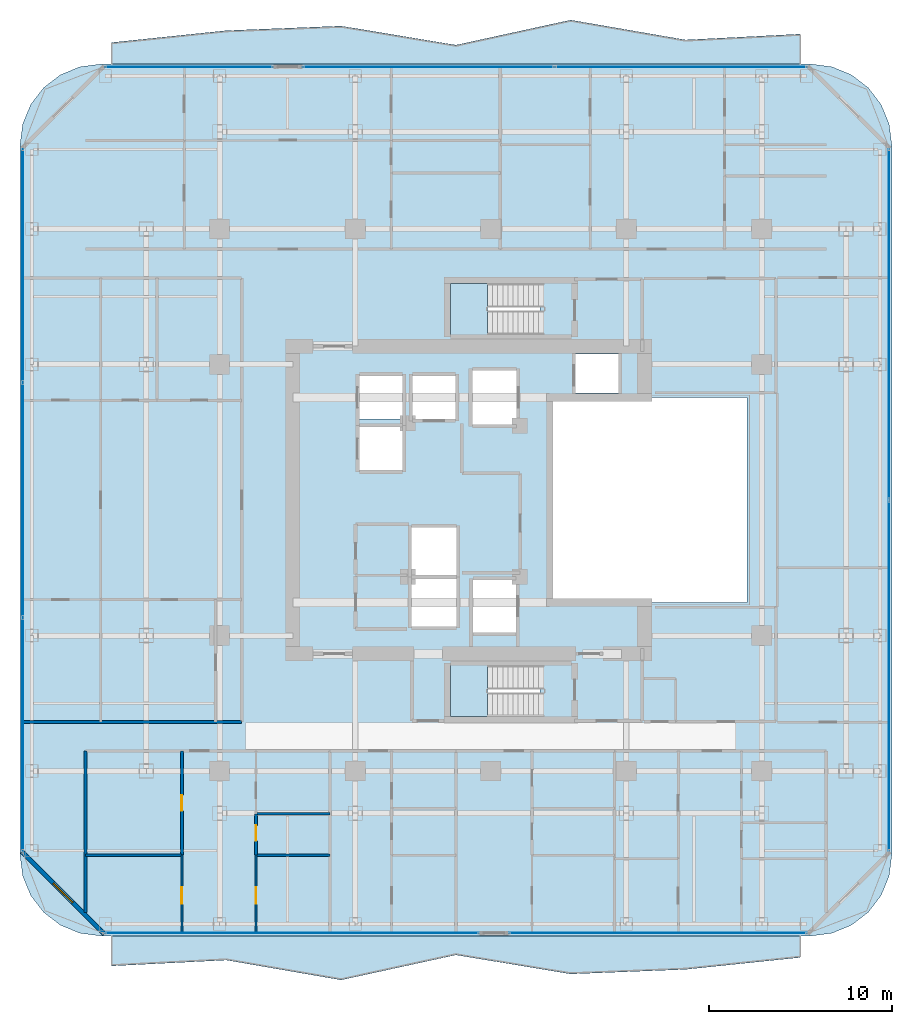
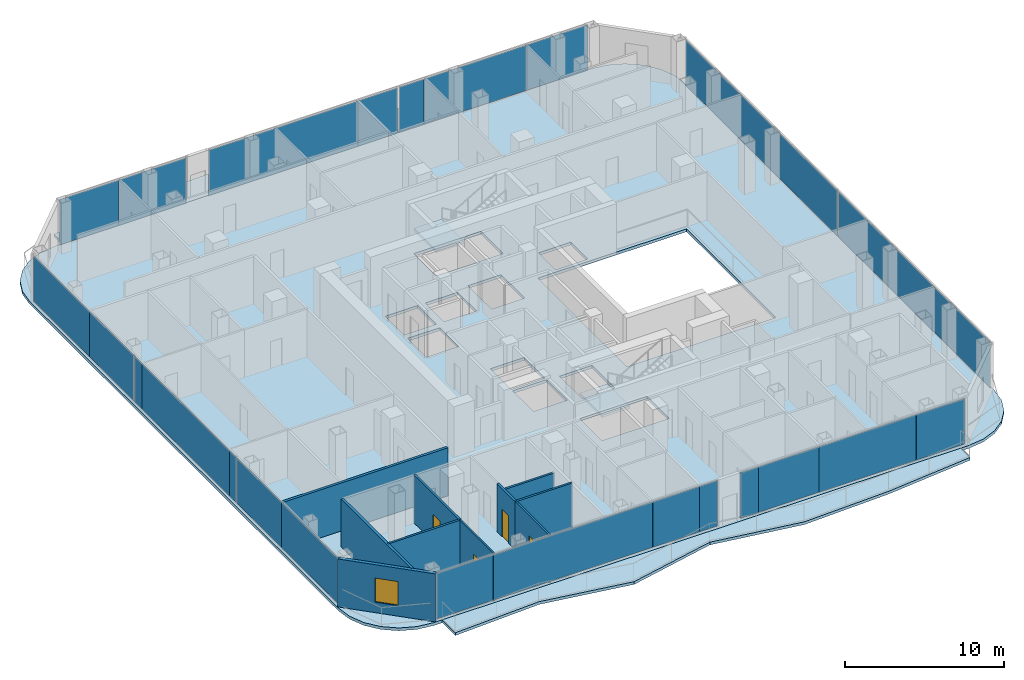
# One storey, part 17 of 25: 24 plates, 10 walls, 5 slabs, 4 doors, 1 window, 5 openings, 8 elements without a shape of their own.
"""IFC4 building model written with IfcOpenShell, lengths in metres."""

import ifcopenshell
import ifcopenshell.guid

model = None  # the IFC model being written
_history = None  # IfcOwnerHistory: only IFC2X3 demands one
_inside = {}  # id of a spatial element -> (the spatial element, [elements in it])
_under = {}  # id of a project, library or spatial element -> (it, [spatial elements below it])
_declared = {}  # id of a project -> (the project, [libraries it declares])
_typed = {}  # id of a type object -> (the type object, [elements of that type])
_made_of = {}  # id of a material, layer set ... -> (it, [elements and type objects made of it])


def new_model(schema):
    """Start an empty IFC model of exactly this schema.

    Asked for "IFC4X3", IfcOpenShell would pick the latest addendum, in which some entities
    have other attributes; the version numbers below select the first issue.
    IFC2X3 requires an IfcOwnerHistory on every rooted entity: one is made here for all.
    """
    global model, _history
    if schema == "IFC4X3":
        model = ifcopenshell.file(schema_version=(4, 3, 0, 0))
    else:
        model = ifcopenshell.file(schema=schema)
    _inside.clear()
    _under.clear()
    _declared.clear()
    _typed.clear()
    _made_of.clear()
    _history = None
    if model.schema == "IFC2X3":
        org = make("IfcOrganization", Name="unknown")
        user = make(
            "IfcPersonAndOrganization",
            ThePerson=make("IfcPerson", FamilyName="unknown"),
            TheOrganization=org,
        )
        app = make(
            "IfcApplication",
            ApplicationDeveloper=org,
            Version="unknown",
            ApplicationFullName="unknown",
            ApplicationIdentifier="unknown",
        )
        _history = make(
            "IfcOwnerHistory",
            OwningUser=user,
            OwningApplication=app,
            ChangeAction="ADDED",
            CreationDate=0,
        )
    return model


def make(cls, **values):
    """One entity of the class cls with the attributes given. An attribute that is None is left unset."""
    return model.create_entity(
        cls, **{name: value for name, value in values.items() if value is not None}
    )


def rooted(cls, **values):
    """An entity with a GlobalId (a new one), such as an element, a storey or a relation."""
    return make(cls, GlobalId=ifcopenshell.guid.new(), OwnerHistory=_history, **values)


def si_unit(unit_type, name, prefix=None):
    """IfcSIUnit, for example si_unit("LENGTHUNIT", "METRE", prefix="MILLI")."""
    return make("IfcSIUnit", UnitType=unit_type, Prefix=prefix, Name=name)


def assignment(units):
    """IfcUnitAssignment: the units of a project."""
    return None if units is None else make("IfcUnitAssignment", Units=units)


def point(xyz):
    """IfcCartesianPoint."""
    return None if xyz is None else make("IfcCartesianPoint", Coordinates=xyz)


def direction(xyz):
    """IfcDirection."""
    return None if xyz is None else make("IfcDirection", DirectionRatios=xyz)


def frame(location, z_axis=None, x_axis=None):
    """IfcAxis2Placement3D, a coordinate frame: its origin and axes. An axis left out is left unset."""
    return make(
        "IfcAxis2Placement3D",
        Location=point(location),
        Axis=direction(z_axis),
        RefDirection=direction(x_axis),
    )


def frame_2d(location, x_axis=None):
    """IfcAxis2Placement2D, a coordinate frame in the plane: its origin and x axis."""
    return make(
        "IfcAxis2Placement2D", Location=point(location), RefDirection=direction(x_axis)
    )


def origin():
    """The frame at (0, 0, 0) with its axes left unset."""
    return frame((0.0, 0.0, 0.0))


def origin_2d():
    """The frame at (0, 0) in the plane with its x axis left unset."""
    return frame_2d((0.0, 0.0))


def place(relative_to, where):
    """IfcLocalPlacement: puts the frame where relative to a parent placement (None: the world)."""
    return make(
        "IfcLocalPlacement", PlacementRelTo=relative_to, RelativePlacement=where
    )


def context(
    kind, dimensions, precision=None, world=None, true_north=None, identifier=None
):
    """IfcGeometricRepresentationContext, for example the 3D "Model" context."""
    return make(
        "IfcGeometricRepresentationContext",
        ContextIdentifier=identifier,
        ContextType=kind,
        CoordinateSpaceDimension=dimensions,
        Precision=precision,
        WorldCoordinateSystem=world,
        TrueNorth=true_north,
    )


def subcontext(parent, identifier, kind, view, scale=None):
    """IfcGeometricRepresentationSubContext, for example "Body" below "Model"."""
    return make(
        "IfcGeometricRepresentationSubContext",
        ContextIdentifier=identifier,
        ContextType=kind,
        ParentContext=parent,
        TargetScale=scale,
        TargetView=view,
    )


def project(units=None, contexts=None):
    """IfcProject with its units and contexts."""
    return rooted(
        "IfcProject",
        Name="project",
        RepresentationContexts=contexts,
        UnitsInContext=assignment(units),
    )


def spatial(cls, under=None, at=None, **own):
    """A site, building, storey or space (cls), placed at a placement, below another one or the project."""
    s = rooted(cls, ObjectPlacement=at, **own)
    if under is not None:
        _under.setdefault(under.id(), (under, []))[1].append(s)
    return s


def polyline(points):
    """IfcPolyline through the points."""
    return make("IfcPolyline", Points=[point(p) for p in points])


def profile(cls, at=None, kind="AREA", **sizes):
    """A parametric profile (cls). Its sizes go by their IFC names, for example OverallWidth=200.0."""
    return make(cls, ProfileType=kind, Position=at, **sizes)


def rectangle(**sizes):
    """IfcRectangleProfileDef."""
    return profile("IfcRectangleProfileDef", **sizes)


def outline(outer, holes=None, kind="AREA"):
    """IfcArbitraryClosedProfileDef: a profile drawn as a closed curve; with holes, ...WithVoids."""
    if holes is None:
        return make("IfcArbitraryClosedProfileDef", ProfileType=kind, OuterCurve=outer)
    return make(
        "IfcArbitraryProfileDefWithVoids",
        ProfileType=kind,
        OuterCurve=outer,
        InnerCurves=holes,
    )


def extrude(swept, where, along, depth):
    """IfcExtrudedAreaSolid: the profile swept, set in the frame where, extruded along a direction by depth."""
    return make(
        "IfcExtrudedAreaSolid",
        SweptArea=swept,
        Position=where,
        ExtrudedDirection=direction(along),
        Depth=depth,
    )


def shape(context_of_items, identifier, shape_type, items):
    """IfcShapeRepresentation: the items that make up one representation, for example the "Body"."""
    return make(
        "IfcShapeRepresentation",
        ContextOfItems=context_of_items,
        RepresentationIdentifier=identifier,
        RepresentationType=shape_type,
        Items=items,
    )


def material(Name=None, Category=None):
    """IfcMaterial."""
    return make("IfcMaterial", Name=Name, Category=Category)


def layer(
    of_material, thickness, ventilated=None, Name=None, Category=None, Priority=None
):
    """IfcMaterialLayer: one layer of a wall or slab, of a material (None: an air gap)."""
    return make(
        "IfcMaterialLayer",
        Material=of_material,
        LayerThickness=thickness,
        IsVentilated=ventilated,
        Name=Name,
        Category=Category,
        Priority=Priority,
    )


def layer_set(layers, Name=None):
    """IfcMaterialLayerSet."""
    return make("IfcMaterialLayerSet", MaterialLayers=layers, LayerSetName=Name)


def made_of(thing, what):
    """Note that an element or type object is made of a material, layer set ...; save() writes the relation."""
    if what is not None:
        _made_of.setdefault(what.id(), (what, []))[1].append(thing)
    return thing


def type_object(cls, material=None, **own):
    """A type object (cls), such as IfcWallType, which elements share."""
    return made_of(rooted(cls, **own), material)


def element(
    cls,
    number,
    at=None,
    inside=None,
    cuts=None,
    type_object=None,
    material=None,
    context=None,
    identifier="Body",
    shape_type=None,
    held_by="IfcProductDefinitionShape",
    body=None,
    shapes=None,
    **own,
):
    """One element of the class cls, such as IfcWall. Its Tag is "e" and its number.

    at: its placement. inside: the storey or other place that contains it. cuts: it is an
    opening in that element (IfcRelVoidsElement). A single representation is given by context,
    identifier, shape_type and body (its items); several are given by shapes. held_by: the class
    of the entity that holds the representations. save() writes the other relations.
    """
    e = rooted(cls, Tag="e%d" % number, ObjectPlacement=at, **own)
    if body is not None:
        shapes = [shape(context, identifier, shape_type, body)]
    if shapes is not None:
        e.Representation = make(held_by, Representations=shapes)
    if inside is not None:
        _inside.setdefault(inside.id(), (inside, []))[1].append(e)
    if cuts is not None:
        rooted(
            "IfcRelVoidsElement", RelatingBuildingElement=cuts, RelatedOpeningElement=e
        )
    if type_object is not None:
        _typed.setdefault(type_object.id(), (type_object, []))[1].append(e)
    return made_of(e, material)


def fill(opening, filler):
    """IfcRelFillsElement: the door or window that sits in an opening."""
    return rooted(
        "IfcRelFillsElement",
        RelatingOpeningElement=opening,
        RelatedBuildingElement=filler,
    )


def aggregate(whole, parts):
    """IfcRelAggregates: a whole, such as a stair, and the parts it consists of."""
    return rooted("IfcRelAggregates", RelatingObject=whole, RelatedObjects=parts)


def save(model, path):
    """Write the relations noted so far, then the file.

    IfcRelAggregates (storeys below a building ...), IfcRelContainedInSpatialStructure (elements
    in a storey), IfcRelDefinesByType, IfcRelAssociatesMaterial and IfcRelDeclares: one each for
    every whole, place, type object, material and project.
    """
    for whole, parts in _under.values():
        aggregate(whole, parts)
    for where, things in _inside.values():
        rooted(
            "IfcRelContainedInSpatialStructure",
            RelatedElements=things,
            RelatingStructure=where,
        )
    for kind, things in _typed.values():
        rooted("IfcRelDefinesByType", RelatedObjects=things, RelatingType=kind)
    for what, things in _made_of.values():
        rooted("IfcRelAssociatesMaterial", RelatedObjects=things, RelatingMaterial=what)
    for by, libraries in _declared.values():
        rooted("IfcRelDeclares", RelatingContext=by, RelatedDefinitions=libraries)
    model.write(path)


model = new_model("IFC4")

# Units and contexts
model_context = context("Model", 3, precision=1e-05, world=origin(), true_north=direction((0.0, 1.0)))
body_context = subcontext(model_context, "Body", "Model", "MODEL_VIEW")
ifc_project = project(units=[si_unit("LENGTHUNIT", "METRE"), si_unit("AREAUNIT", "SQUARE_METRE"), si_unit("VOLUMEUNIT", "CUBIC_METRE"), si_unit("PLANEANGLEUNIT", "RADIAN"), si_unit("MASSUNIT", "GRAM", prefix="KILO")], contexts=[model_context])

# Site, building, storey
site_placement = place(None, origin())
site = spatial("IfcSite", under=ifc_project, at=site_placement, CompositionType="ELEMENT")
building_placement = place(site_placement, origin())
building = spatial("IfcBuilding", under=site, at=building_placement, Name="Khorvyn Point Tower", CompositionType="ELEMENT")
storey_placement = place(building_placement, frame((0.0, 0.0, 171.89990234375)))
storey = spatial("IfcBuildingStorey", under=building, at=storey_placement, Name="L42", CompositionType="ELEMENT", Elevation=171.89990234375)

# Slabs
ifc_material_1 = material(Name="Concrete C35/45", Category="concrete")
ifc_layer_1 = layer(ifc_material_1, 0.219970703125)
ifc_layer_set_1 = layer_set([ifc_layer_1], Name="Concrete C35/45 Structural Floor Slab 220")
slab_type_1 = type_object("IfcSlabType", Name="Concrete C35/45 Structural Floor Slab 220", PredefinedType="FLOOR", material=ifc_layer_set_1)
slab_1_placement = place(storey_placement, frame((0.0, 0.0, -0.219970703125)))
element("IfcSlab", 1, at=slab_1_placement, inside=storey, type_object=slab_type_1, Name="L42 Main Structural Floor Slab", PredefinedType="FLOOR", context=body_context, shape_type="SweptSolid", body=[
    extrude(outline(polyline([(-21.300048828125, -23.800048828125), (-22.438720703125, -23.650146484375), (-23.5, -23.21044921875), (-24.411376953125, -22.51123046875), (-25.110595703125, -21.60009765625), (-25.550048828125, -20.538818359375), (-25.699951171875, -19.39990234375), (-25.699951171875, 19.39990234375), (-25.550048828125, 20.538818359375), (-25.110595703125, 21.60009765625), (-24.411376953125, 22.51123046875), (-23.5, 23.21044921875), (-22.438720703125, 23.650146484375), (-21.300048828125, 23.800048828125), (17.5, 23.800048828125), (18.638916015625, 23.650146484375), (19.699951171875, 23.21044921875), (20.611328125, 22.51123046875), (21.310546875, 21.60009765625), (21.75, 20.538818359375), (21.89990234375, 19.39990234375), (21.89990234375, -19.39990234375), (21.75, -20.538818359375), (21.310546875, -21.60009765625), (20.611328125, -22.51123046875), (19.699951171875, -23.21044921875), (18.638916015625, -23.650146484375), (17.5, -23.800048828125), (-21.300048828125, -23.800048828125)]), holes=[polyline([(-1.875, -6.89990234375), (-1.875, -4.300048828125), (-4.324951171875, -4.300048828125), (-4.324951171875, -6.89990234375), (-1.875, -6.89990234375)]), polyline([(-1.875, -4.10009765625), (-1.875, -1.5), (-4.324951171875, -1.5), (-4.324951171875, -4.10009765625), (-1.875, -4.10009765625)]), polyline([(-4.824951171875, 1.625), (-4.824951171875, 3.97509765625), (-7.175048828125, 3.97509765625), (-7.175048828125, 1.625), (-4.824951171875, 1.625)]), polyline([(-7.175048828125, 4.425048828125), (-4.824951171875, 4.425048828125), (-4.824951171875, 6.77490234375), (-7.175048828125, 6.77490234375), (-7.175048828125, 4.425048828125)]), polyline([(-4.27490234375, 4.425048828125), (-1.925048828125, 4.425048828125), (-1.925048828125, 6.77490234375), (-4.27490234375, 6.77490234375), (-4.27490234375, 4.425048828125)]), polyline([(1.39990234375, 4.125), (1.39990234375, 7.074951171875), (-1.0, 7.074951171875), (-1.0, 4.125), (1.39990234375, 4.125)]), polyline([(-2.199951171875, -11.820068359375), (2.679931640625, -11.820068359375), (2.679931640625, -9.02001953125), (-2.199951171875, -9.02001953125), (-2.199951171875, -11.820068359375)]), polyline([(-0.97509765625, -7.22509765625), (1.375, -7.22509765625), (1.375, -4.375), (-0.97509765625, -4.375), (-0.97509765625, -7.22509765625)]), polyline([(14.0, -5.60009765625), (14.0, 5.60009765625), (3.199951171875, 5.60009765625), (3.199951171875, -5.60009765625), (14.0, -5.60009765625)]), polyline([(4.625, 5.85009765625), (6.97509765625, 5.85009765625), (6.97509765625, 7.97998046875), (4.625, 7.97998046875), (4.625, 5.85009765625)]), polyline([(-2.199951171875, 9.02001953125), (2.679931640625, 9.02001953125), (2.679931640625, 11.820068359375), (-2.199951171875, 11.820068359375), (-2.199951171875, 9.02001953125)])]), origin(), (0.0, 0.0, 1.0), 0.219970703125),
])
ifc_material_2 = material(Name="Concrete C40/50", Category="concrete")
ifc_layer_2 = layer(ifc_material_2, 0.2099609375)
ifc_layer_set_2 = layer_set([ifc_layer_2], Name="Concrete C40/50 Rippling Balcony Slab 210")
slab_type_2 = type_object("IfcSlabType", Name="Concrete C40/50 Rippling Balcony Slab 210", PredefinedType="USERDEFINED", material=ifc_layer_set_2)
slab_2_placement = place(storey_placement, frame((0.0, 0.0, -0.2099609375)))
element("IfcSlab", 2, at=slab_2_placement, inside=storey, type_object=slab_type_2, Name="L42 North Sinusoidal Rippling Balcony", ObjectType="BALCONY", PredefinedType="USERDEFINED", context=body_context, shape_type="SweptSolid", body=[
    extrude(outline(polyline([(16.89990234375, 23.800048828125), (16.89990234375, 25.441650390625), (10.63330078125, 25.12255859375), (4.36669921875, 26.20703125), (-1.89990234375, 24.8408203125), (-8.166748046875, 25.8798828125), (-14.433349609375, 25.630859375), (-20.699951171875, 24.978759765625), (-20.699951171875, 23.800048828125), (16.89990234375, 23.800048828125)])), origin(), (0.0, 0.0, 1.0), 0.2099609375),
])
slab_3_placement = place(storey_placement, frame((0.0, 0.0, -0.2099609375)))
element("IfcSlab", 3, at=slab_3_placement, inside=storey, type_object=slab_type_2, Name="L42 South Sinusoidal Rippling Balcony", ObjectType="BALCONY", PredefinedType="USERDEFINED", context=body_context, shape_type="SweptSolid", body=[
    extrude(outline(polyline([(-20.699951171875, -23.800048828125), (-20.699951171875, -25.441650390625), (-14.433349609375, -25.12255859375), (-8.166748046875, -26.20703125), (-1.89990234375, -24.8408203125), (4.36669921875, -25.8798828125), (10.63330078125, -25.630859375), (16.89990234375, -24.978759765625), (16.89990234375, -23.800048828125), (-20.699951171875, -23.800048828125)])), origin(), (0.0, 0.0, 1.0), 0.2099609375),
])

# Stair, slab
stair_type = type_object("IfcStairType", Name="Tower Concrete C40/50 Dogleg Exit Stair", PredefinedType="HALF_TURN_STAIR", material=ifc_material_2)
stair_1_placement = place(storey_placement, origin())
stair_1 = element("IfcStair", 4, at=stair_1_placement, inside=storey, type_object=stair_type, Name="L42 Tower Smokeproof Exit Stair South", PredefinedType="HALF_TURN_STAIR")
ifc_layer_3 = layer(ifc_material_2, 0.199951171875)
ifc_layer_set_3 = layer_set([ifc_layer_3], Name="Concrete C40/50 Stair Landing Slab 200")
slab_type_3 = type_object("IfcSlabType", Name="Concrete C40/50 Stair Landing Slab 200", PredefinedType="LANDING", material=ifc_layer_set_3)
slab_4_placement = place(storey_placement, frame((0.0, 0.0, 1.75)))
slab_4 = element("IfcSlab", 5, at=slab_4_placement, type_object=slab_type_3, Name="ST-01 landing 1", PredefinedType="LANDING", context=body_context, shape_type="SweptSolid", body=[
    extrude(outline(polyline([(-0.179931640625, -9.02001953125), (-2.199951171875, -9.02001953125), (-2.199951171875, -11.820068359375), (-0.179931640625, -11.820068359375), (-0.179931640625, -9.02001953125)])), origin(), (0.0, 0.0, 1.0), 0.2001953125),
])
aggregate(stair_1, [slab_4])

stair_2_placement = place(storey_placement, origin())
stair_2 = element("IfcStair", 6, at=stair_2_placement, inside=storey, type_object=stair_type, Name="L42 Tower Smokeproof Exit Stair North", PredefinedType="HALF_TURN_STAIR")
slab_5_placement = place(storey_placement, frame((0.0, 0.0, 1.75)))
slab_5 = element("IfcSlab", 7, at=slab_5_placement, type_object=slab_type_3, Name="ST-02 landing 1", PredefinedType="LANDING", context=body_context, shape_type="SweptSolid", body=[
    extrude(outline(polyline([(-0.179931640625, 11.820068359375), (-2.199951171875, 11.820068359375), (-2.199951171875, 9.02001953125), (-0.179931640625, 9.02001953125), (-0.179931640625, 11.820068359375)])), origin(), (0.0, 0.0, 1.0), 0.2001953125),
])
aggregate(stair_2, [slab_5])

# Curtain wall, plates
ifc_material_3 = material(Name="Anodised aluminium 6063-T6 and laminated Low-E glass", Category="aluminium")
ifc_layer_4 = layer(ifc_material_3, 0.18994140625)
ifc_layer_set_4 = layer_set([ifc_layer_4], Name="Stick-Built Acoustic Curtain Wall CW-SYS-03")
curtain_wall_type = type_object("IfcCurtainWallType", Name="Stick-Built Acoustic Curtain Wall CW-SYS-03", PredefinedType="NOTDEFINED", material=ifc_layer_set_4)
curtain_wall_1_placement = place(storey_placement, origin())
curtain_wall_1 = element("IfcCurtainWall", 8, at=curtain_wall_1_placement, inside=storey, type_object=curtain_wall_type, Name="Curtain Wall", PredefinedType="NOTDEFINED")
ifc_material_4 = material(Name="Laminated Low-E insulated glass", Category="glass")
ifc_layer_5 = layer(ifc_material_4, 0.028076171875)
ifc_layer_set_5 = layer_set([ifc_layer_5], Name="Tempered Low-E Vision Glazing Panel CW-GL28")
plate_type = type_object("IfcPlateType", Name="Tempered Low-E Vision Glazing Panel CW-GL28", PredefinedType="CURTAIN_PANEL", material=ifc_layer_set_5)
plate_1_placement = place(storey_placement, frame((1.655517578125, -23.64990234375, 0.10009765625), z_axis=(0.0, 0.0, 1.0), x_axis=(-1.0, 0.0, 0.0)))
plate_1 = element("IfcPlate", 9, at=plate_1_placement, type_object=plate_type, Name="Panel", PredefinedType="CURTAIN_PANEL", context=body_context, shape_type="SweptSolid", body=[
    extrude(rectangle(XDim=1.30908203125, YDim=0.028076171875, at=origin_2d()), origin(), (0.0, 0.0, 1.0), 3.47998046875),
])
plate_2_placement = place(storey_placement, frame((4.50390625, -23.64990234375, 0.10009765625), z_axis=(0.0, 0.0, 1.0), x_axis=(-1.0, 0.0, 0.0)))
plate_2 = element("IfcPlate", 10, at=plate_2_placement, type_object=plate_type, Name="Panel", PredefinedType="CURTAIN_PANEL", context=body_context, shape_type="SweptSolid", body=[
    extrude(rectangle(XDim=4.3720703125, YDim=0.028076171875, at=origin_2d()), origin(), (0.0, 0.0, 1.0), 3.47998046875),
])
plate_3_placement = place(storey_placement, frame((10.22412109375, -23.64990234375, 0.10009765625), z_axis=(0.0, 0.0, 1.0), x_axis=(-1.0, 0.0, 0.0)))
plate_3 = element("IfcPlate", 11, at=plate_3_placement, type_object=plate_type, Name="Panel", PredefinedType="CURTAIN_PANEL", context=body_context, shape_type="SweptSolid", body=[
    extrude(rectangle(XDim=7.052001953125, YDim=0.028076171875, at=origin_2d()), origin(), (0.0, 0.0, 1.0), 3.47998046875),
])
plate_4_placement = place(storey_placement, frame((15.501953125, -23.64990234375, 0.10009765625), z_axis=(0.0, 0.0, 1.0), x_axis=(-1.0, 0.0, 0.0)))
plate_4 = element("IfcPlate", 12, at=plate_4_placement, type_object=plate_type, Name="Panel", PredefinedType="CURTAIN_PANEL", context=body_context, shape_type="SweptSolid", body=[
    extrude(rectangle(XDim=3.488037109375, YDim=0.028076171875, at=origin_2d()), origin(), (0.0, 0.0, 1.0), 3.47998046875),
])
aggregate(curtain_wall_1, [plate_1, plate_2, plate_3, plate_4])

curtain_wall_2_placement = place(storey_placement, origin())
curtain_wall_2 = element("IfcCurtainWall", 13, at=curtain_wall_2_placement, inside=storey, type_object=curtain_wall_type, Name="Curtain Wall", PredefinedType="NOTDEFINED")
plate_5_placement = place(storey_placement, frame((-18.985107421875, -23.64990234375, 0.10009765625), z_axis=(0.0, 0.0, 1.0), x_axis=(-1.0, 0.0, 0.0)))
plate_5 = element("IfcPlate", 14, at=plate_5_placement, type_object=plate_type, Name="Panel", PredefinedType="CURTAIN_PANEL", context=body_context, shape_type="SweptSolid", body=[
    extrude(rectangle(XDim=4.1220703125, YDim=0.028076171875, at=origin_2d()), origin(), (0.0, 0.0, 1.0), 3.47998046875),
])
plate_6_placement = place(storey_placement, frame((-11.136962890625, -23.64990234375, 0.10009765625), z_axis=(0.0, 0.0, 1.0), x_axis=(-1.0, 0.0, 0.0)))
plate_6 = element("IfcPlate", 15, at=plate_6_placement, type_object=plate_type, Name="Panel", PredefinedType="CURTAIN_PANEL", context=body_context, shape_type="SweptSolid", body=[
    extrude(rectangle(XDim=11.55810546875, YDim=0.028076171875, at=origin_2d()), origin(), (0.0, 0.0, 1.0), 3.47998046875),
])
plate_7_placement = place(storey_placement, frame((-3.656982421875, -23.64990234375, 0.10009765625), z_axis=(0.0, 0.0, 1.0), x_axis=(-1.0, 0.0, 0.0)))
plate_7 = element("IfcPlate", 16, at=plate_7_placement, type_object=plate_type, Name="Panel", PredefinedType="CURTAIN_PANEL", context=body_context, shape_type="SweptSolid", body=[
    extrude(rectangle(XDim=3.385986328125, YDim=0.028076171875, at=origin_2d()), origin(), (0.0, 0.0, 1.0), 3.47998046875),
])
plate_8_placement = place(storey_placement, frame((-1.301513671875, -23.64990234375, 0.10009765625), z_axis=(0.0, 0.0, 1.0), x_axis=(-1.0, 0.0, 0.0)))
plate_8 = element("IfcPlate", 17, at=plate_8_placement, type_object=plate_type, Name="Panel", PredefinedType="CURTAIN_PANEL", context=body_context, shape_type="SweptSolid", body=[
    extrude(rectangle(XDim=1.30908203125, YDim=0.028076171875, at=origin_2d()), origin(), (0.0, 0.0, 1.0), 3.47998046875),
])
aggregate(curtain_wall_2, [plate_5, plate_6, plate_7, plate_8])

curtain_wall_3_placement = place(storey_placement, origin())
curtain_wall_3 = element("IfcCurtainWall", 18, at=curtain_wall_3_placement, inside=storey, type_object=curtain_wall_type, Name="Curtain Wall", PredefinedType="NOTDEFINED")
plate_9_placement = place(storey_placement, frame((-18.91796875, 23.64990234375, 0.10009765625), z_axis=(0.0, 0.0, 1.0), x_axis=(1.0, 0.0, 0.0)))
plate_9 = element("IfcPlate", 19, at=plate_9_placement, type_object=plate_type, Name="Panel", PredefinedType="CURTAIN_PANEL", context=body_context, shape_type="SweptSolid", body=[
    extrude(rectangle(XDim=4.256103515625, YDim=0.028076171875, at=origin_2d()), origin(), (0.0, 0.0, 1.0), 3.47998046875),
])
plate_10_placement = place(storey_placement, frame((-14.341552734375, 23.64990234375, 0.10009765625), z_axis=(0.0, 0.0, 1.0), x_axis=(1.0, 0.0, 0.0)))
plate_10 = element("IfcPlate", 20, at=plate_10_placement, type_object=plate_type, Name="Panel", PredefinedType="CURTAIN_PANEL", context=body_context, shape_type="SweptSolid", body=[
    extrude(rectangle(XDim=4.881103515625, YDim=0.028076171875, at=origin_2d()), origin(), (0.0, 0.0, 1.0), 3.47998046875),
])
aggregate(curtain_wall_3, [plate_9, plate_10])

curtain_wall_4_placement = place(storey_placement, origin())
curtain_wall_4 = element("IfcCurtainWall", 21, at=curtain_wall_4_placement, inside=storey, type_object=curtain_wall_type, Name="Curtain Wall", PredefinedType="NOTDEFINED")
plate_11_placement = place(storey_placement, frame((-4.83544921875, 23.64990234375, 0.10009765625), z_axis=(0.0, 0.0, 1.0), x_axis=(1.0, 0.0, 0.0)))
plate_11 = element("IfcPlate", 22, at=plate_11_placement, type_object=plate_type, Name="Panel", PredefinedType="CURTAIN_PANEL", context=body_context, shape_type="SweptSolid", body=[
    extrude(rectangle(XDim=10.8349609375, YDim=0.028076171875, at=origin_2d()), origin(), (0.0, 0.0, 1.0), 3.47998046875),
])
plate_12_placement = place(storey_placement, frame((2.016357421875, 23.64990234375, 0.10009765625), z_axis=(0.0, 0.0, 1.0), x_axis=(1.0, 0.0, 0.0)))
plate_12 = element("IfcPlate", 23, at=plate_12_placement, type_object=plate_type, Name="Panel", PredefinedType="CURTAIN_PANEL", context=body_context, shape_type="SweptSolid", body=[
    extrude(rectangle(XDim=2.8525390625, YDim=0.028076171875, at=origin_2d()), origin(), (0.0, 0.0, 1.0), 3.47998046875),
])
plate_13_placement = place(storey_placement, frame((4.458740234375, 23.64990234375, 0.10009765625), z_axis=(0.0, 0.0, 1.0), x_axis=(1.0, 0.0, 0.0)))
plate_13 = element("IfcPlate", 24, at=plate_13_placement, type_object=plate_type, Name="Panel", PredefinedType="CURTAIN_PANEL", context=body_context, shape_type="SweptSolid", body=[
    extrude(rectangle(XDim=1.81640625, YDim=0.028076171875, at=origin_2d()), origin(), (0.0, 0.0, 1.0), 3.47998046875),
])
plate_14_placement = place(storey_placement, frame((9.099609375, 23.64990234375, 0.10009765625), z_axis=(0.0, 0.0, 1.0), x_axis=(1.0, 0.0, 0.0)))
plate_14 = element("IfcPlate", 25, at=plate_14_placement, type_object=plate_type, Name="Panel", PredefinedType="CURTAIN_PANEL", context=body_context, shape_type="SweptSolid", body=[
    extrude(rectangle(XDim=7.448974609375, YDim=0.028076171875, at=origin_2d()), origin(), (0.0, 0.0, 1.0), 3.47998046875),
])
plate_15_placement = place(storey_placement, frame((15.0390625, 23.64990234375, 0.10009765625), z_axis=(0.0, 0.0, 1.0), x_axis=(1.0, 0.0, 0.0)))
plate_15 = element("IfcPlate", 26, at=plate_15_placement, type_object=plate_type, Name="Panel", PredefinedType="CURTAIN_PANEL", context=body_context, shape_type="SweptSolid", body=[
    extrude(rectangle(XDim=4.4140625, YDim=0.028076171875, at=origin_2d()), origin(), (0.0, 0.0, 1.0), 3.47998046875),
])
aggregate(curtain_wall_4, [plate_11, plate_12, plate_13, plate_14, plate_15])

curtain_wall_5_placement = place(storey_placement, origin())
curtain_wall_5 = element("IfcCurtainWall", 27, at=curtain_wall_5_placement, inside=storey, type_object=curtain_wall_type, Name="Curtain Wall", PredefinedType="NOTDEFINED")
plate_16_placement = place(storey_placement, frame((-25.550048828125, -15.60498046875, 0.10009765625), z_axis=(0.0, 0.0, 1.0), x_axis=(0.0, 1.0, 0.0)))
plate_16 = element("IfcPlate", 28, at=plate_16_placement, type_object=plate_type, Name="Panel", PredefinedType="CURTAIN_PANEL", context=body_context, shape_type="SweptSolid", body=[
    extrude(rectangle(XDim=7.08203125, YDim=0.028076171875, at=origin_2d()), origin(), (0.0, 0.0, 1.0), 3.47998046875),
])
plate_17_placement = place(storey_placement, frame((-25.550048828125, -9.26318359375, 0.10009765625), z_axis=(0.0, 0.0, 1.0), x_axis=(0.0, 1.0, 0.0)))
plate_17 = element("IfcPlate", 29, at=plate_17_placement, type_object=plate_type, Name="Panel", PredefinedType="CURTAIN_PANEL", context=body_context, shape_type="SweptSolid", body=[
    extrude(rectangle(XDim=5.585205078125, YDim=0.028076171875, at=origin_2d()), origin(), (0.0, 0.0, 1.0), 3.47998046875),
])
plate_18_placement = place(storey_placement, frame((-25.550048828125, -5.931396484375, 0.10009765625), z_axis=(0.0, 0.0, 1.0), x_axis=(0.0, 1.0, 0.0)))
plate_18 = element("IfcPlate", 30, at=plate_18_placement, type_object=plate_type, Name="Panel", PredefinedType="CURTAIN_PANEL", context=body_context, shape_type="SweptSolid", body=[
    extrude(rectangle(XDim=0.86279296875, YDim=0.028076171875, at=origin_2d()), origin(), (0.0, 0.0, 1.0), 3.47998046875),
])
plate_19_placement = place(storey_placement, frame((-25.550048828125, 0.0, 0.10009765625), z_axis=(0.0, 0.0, 1.0), x_axis=(0.0, 1.0, 0.0)))
plate_19 = element("IfcPlate", 31, at=plate_19_placement, type_object=plate_type, Name="Panel", PredefinedType="CURTAIN_PANEL", context=body_context, shape_type="SweptSolid", body=[
    extrude(rectangle(XDim=10.98388671875, YDim=0.028076171875, at=origin_2d()), origin(), (0.0, 0.0, 1.0), 3.47998046875),
])
plate_20_placement = place(storey_placement, frame((-25.550048828125, 5.931396484375, 0.10009765625), z_axis=(0.0, 0.0, 1.0), x_axis=(0.0, 1.0, 0.0)))
plate_20 = element("IfcPlate", 32, at=plate_20_placement, type_object=plate_type, Name="Panel", PredefinedType="CURTAIN_PANEL", context=body_context, shape_type="SweptSolid", body=[
    extrude(rectangle(XDim=0.86279296875, YDim=0.028076171875, at=origin_2d()), origin(), (0.0, 0.0, 1.0), 3.47998046875),
])
plate_21_placement = place(storey_placement, frame((-25.550048828125, 9.26318359375, 0.10009765625), z_axis=(0.0, 0.0, 1.0), x_axis=(0.0, 1.0, 0.0)))
plate_21 = element("IfcPlate", 33, at=plate_21_placement, type_object=plate_type, Name="Panel", PredefinedType="CURTAIN_PANEL", context=body_context, shape_type="SweptSolid", body=[
    extrude(rectangle(XDim=5.585205078125, YDim=0.028076171875, at=origin_2d()), origin(), (0.0, 0.0, 1.0), 3.47998046875),
])
plate_22_placement = place(storey_placement, frame((-25.550048828125, 15.60498046875, 0.10009765625), z_axis=(0.0, 0.0, 1.0), x_axis=(0.0, 1.0, 0.0)))
plate_22 = element("IfcPlate", 34, at=plate_22_placement, type_object=plate_type, Name="Panel", PredefinedType="CURTAIN_PANEL", context=body_context, shape_type="SweptSolid", body=[
    extrude(rectangle(XDim=7.08203125, YDim=0.028076171875, at=origin_2d()), origin(), (0.0, 0.0, 1.0), 3.47998046875),
])
aggregate(curtain_wall_5, [plate_16, plate_17, plate_18, plate_19, plate_20, plate_21, plate_22])

curtain_wall_6_placement = place(storey_placement, origin())
curtain_wall_6 = element("IfcCurtainWall", 35, at=curtain_wall_6_placement, inside=storey, type_object=curtain_wall_type, Name="Curtain Wall", PredefinedType="NOTDEFINED")
plate_23_placement = place(storey_placement, frame((21.75, 9.60009765625, 0.10009765625), z_axis=(0.0, 0.0, 1.0), x_axis=(0.0, -1.0, 0.0)))
plate_23 = element("IfcPlate", 36, at=plate_23_placement, type_object=plate_type, Name="Panel", PredefinedType="CURTAIN_PANEL", context=body_context, shape_type="SweptSolid", body=[
    extrude(rectangle(XDim=19.10009765625, YDim=0.028076171875, at=origin_2d()), origin(), (0.0, 0.0, 1.0), 3.47998046875),
])
plate_24_placement = place(storey_placement, frame((21.75, -9.60009765625, 0.10009765625), z_axis=(0.0, 0.0, 1.0), x_axis=(0.0, -1.0, 0.0)))
plate_24 = element("IfcPlate", 37, at=plate_24_placement, type_object=plate_type, Name="Panel", PredefinedType="CURTAIN_PANEL", context=body_context, shape_type="SweptSolid", body=[
    extrude(rectangle(XDim=19.10009765625, YDim=0.028076171875, at=origin_2d()), origin(), (0.0, 0.0, 1.0), 3.47998046875),
])
aggregate(curtain_wall_6, [plate_23, plate_24])

# Walls
ifc_material_5 = material(Name="Double acoustic gypsum on twin steel stud", Category="steel")
ifc_layer_6 = layer(ifc_material_5, 0.179931640625)
ifc_layer_set_6 = layer_set([ifc_layer_6], Name="Acoustic Double-Stud Apartment Demising Wall 180")
wall_type_1 = type_object("IfcWallType", Name="Acoustic Double-Stud Apartment Demising Wall 180", PredefinedType="PARTITIONING", material=ifc_layer_set_6)
wall_1_placement = place(storey_placement, frame((-22.1201171875, -22.510009765625, 0.0), z_axis=(0.0, 0.0, 1.0), x_axis=(0.0, 1.0, 0.0)))
element("IfcWall", 38, at=wall_1_placement, inside=storey, type_object=wall_type_1, Name="Wall", PredefinedType="PARTITIONING", context=body_context, shape_type="SweptSolid", body=[
    extrude(rectangle(XDim=8.81005859375, YDim=0.179931640625, at=frame_2d((4.405029296875, 0.0))), origin(), (0.0, 0.0, 1.0), 3.68017578125),
])
wall_2_placement = place(storey_placement, frame((-25.530029296875, -12.1201171875, 0.0), z_axis=(0.0, 0.0, 1.0), x_axis=(1.0, 0.0, 0.0)))
element("IfcWall", 39, at=wall_2_placement, inside=storey, type_object=wall_type_1, Name="Wall", PredefinedType="PARTITIONING", context=body_context, shape_type="SweptSolid", body=[
    extrude(rectangle(XDim=11.929931640625, YDim=0.179931640625, at=frame_2d((5.96484375, 0.0))), origin(), (0.0, 0.0, 1.0), 3.68017578125),
])

# Wall, opening, window
ifc_material_6 = material(Name="Pale anodised aluminium rainscreen on steel stud", Category="steel")
ifc_layer_7 = layer(ifc_material_6, 0.239990234375)
ifc_layer_set_7 = layer_set([ifc_layer_7], Name="Anodised Aluminium Insulated Corner Spandrel Wall 240")
wall_type_2 = type_object("IfcWallType", Name="Anodised Aluminium Insulated Corner Spandrel Wall 240", PredefinedType="SOLIDWALL", material=ifc_layer_set_7)
wall_3_placement = place(storey_placement, frame((-21.107666015625, -23.6923828125, 0.0), z_axis=(0.0, 0.0, 1.0), x_axis=(-0.707087534163, 0.707126027686, 0.0)))
wall_3 = element("IfcWall", 40, at=wall_3_placement, inside=storey, type_object=wall_type_2, Name="L42 Rounded Corner Wall SW", PredefinedType="SOLIDWALL", context=body_context, shape_type="SweptSolid", body=[
    extrude(rectangle(XDim=6.34228515625, YDim=0.239990234375, at=frame_2d((3.171142578125, 0.0))), origin(), (0.0, 0.0, 1.0), 3.68017578125),
])
opening_1_placement = place(wall_3_placement, frame((2.42138671875, 0.0, 0.800048828125)))
opening_1 = element("IfcOpeningElement", 41, at=opening_1_placement, cuts=wall_3, Name="Opening WN-1518", PredefinedType="OPENING", context=body_context, shape_type="SweptSolid", body=[
    extrude(rectangle(XDim=1.5, YDim=1.85009765625, at=frame_2d((0.75, 0.925048828125))), frame((0.0, 0.1298828125, 0.0), z_axis=(0.0, -1.0, 0.0), x_axis=(1.0, 0.0, 0.0)), (0.0, 0.0, 1.0), 0.260009765625),
])
window_type = type_object("IfcWindowType", Name="Anodised Aluminium Rounded-Corner Panoramic Window 1500x1850", PartitioningType="SINGLE_PANEL", PredefinedType="WINDOW", material=ifc_material_3)
window_placement = place(opening_1_placement, origin())
window = element("IfcWindow", 42, at=window_placement, inside=storey, type_object=window_type, Name="L42 Corner Panoramic Window SW", OverallHeight=1.85009765625, OverallWidth=1.5, PartitioningType="SINGLE_PANEL", PredefinedType="WINDOW", context=body_context, shape_type="SweptSolid", body=[
    extrude(rectangle(XDim=1.5, YDim=1.85009765625, at=frame_2d((0.75, 0.925048828125))), frame((0.0, 0.030029296875, 0.0), z_axis=(0.0, -1.0, 0.0), x_axis=(1.0, 0.0, 0.0)), (0.0, 0.0, 1.0), 0.06005859375),
])
fill(opening_1, window)

# Wall, opening, door
ifc_material_7 = material(Name="Gypsum plasterboard on steel stud", Category="steel")
ifc_layer_8 = layer(ifc_material_7, 0.1201171875)
ifc_layer_set_8 = layer_set([ifc_layer_8], Name="Gypsum Acoustic Stud Room Partition Wall 120")
wall_type_3 = type_object("IfcWallType", Name="Gypsum Acoustic Stud Room Partition Wall 120", PredefinedType="PARTITIONING", material=ifc_layer_set_8)
wall_4_placement = place(storey_placement, frame((-16.860107421875, -23.6298828125, 0.0), z_axis=(0.0, 0.0, 1.0), x_axis=(0.0, 1.0, 0.0)))
wall_4 = element("IfcWall", 43, at=wall_4_placement, inside=storey, type_object=wall_type_3, Name="Wall", PredefinedType="PARTITIONING", context=body_context, shape_type="SweptSolid", body=[
    extrude(rectangle(XDim=4.239990234375, YDim=0.1201171875, at=frame_2d((2.1201171875, 0.0))), origin(), (0.0, 0.0, 1.0), 3.68017578125),
])
opening_2_placement = place(wall_4_placement, frame((1.581298828125, 0.0, 0.0)))
opening_2 = element("IfcOpeningElement", 44, at=opening_2_placement, cuts=wall_4, Name="Opening ID-RM90", PredefinedType="OPENING", context=body_context, shape_type="SweptSolid", body=[
    extrude(rectangle(XDim=0.89990234375, YDim=2.10009765625, at=frame_2d((0.449951171875, 1.050048828125))), frame((0.0, 0.070068359375, 0.0), z_axis=(0.0, -1.0, 0.0), x_axis=(1.0, 0.0, 0.0)), (0.0, 0.0, 1.0), 0.14013671875),
])
ifc_material_8 = material(Name="Engineered oak veneer timber", Category="wood")
door_type_1 = type_object("IfcDoorType", Name="Flush Engineered Timber Room Door 900x2100", OperationType="NOTDEFINED", PredefinedType="DOOR", material=ifc_material_8)
door_1_placement = place(opening_2_placement, origin())
door_1 = element("IfcDoor", 45, at=door_1_placement, inside=storey, type_object=door_type_1, Name="Door", OperationType="SINGLE_SWING_LEFT", OverallHeight=2.10009765625, OverallWidth=0.89990234375, PredefinedType="DOOR", context=body_context, shape_type="SweptSolid", body=[
    extrude(rectangle(XDim=0.89990234375, YDim=2.10009765625, at=frame_2d((0.449951171875, 1.050048828125))), frame((0.0, 0.02490234375, 0.0), z_axis=(0.0, -1.0, 0.0), x_axis=(1.0, 0.0, 0.0)), (0.0, 0.0, 1.0), 0.050048828125),
])
fill(opening_2, door_1)

wall_5_placement = place(storey_placement, frame((-12.81591796875, -23.6298828125, 0.0), z_axis=(0.0, 0.0, 1.0), x_axis=(0.0, 1.0, 0.0)))
wall_5 = element("IfcWall", 46, at=wall_5_placement, inside=storey, type_object=wall_type_3, Name="Wall", PredefinedType="PARTITIONING", context=body_context, shape_type="SweptSolid", body=[
    extrude(rectangle(XDim=4.239990234375, YDim=0.1201171875, at=frame_2d((2.1201171875, 0.0))), origin(), (0.0, 0.0, 1.0), 3.68017578125),
])
opening_3_placement = place(wall_5_placement, frame((1.581298828125, 0.0, 0.0)))
opening_3 = element("IfcOpeningElement", 47, at=opening_3_placement, cuts=wall_5, Name="Opening ID-RM90", PredefinedType="OPENING", context=body_context, shape_type="SweptSolid", body=[
    extrude(rectangle(XDim=0.89990234375, YDim=2.10009765625, at=frame_2d((0.449951171875, 1.050048828125))), frame((0.0, 0.070068359375, 0.0), z_axis=(0.0, -1.0, 0.0), x_axis=(1.0, 0.0, 0.0)), (0.0, 0.0, 1.0), 0.14013671875),
])
door_2_placement = place(opening_3_placement, origin())
door_2 = element("IfcDoor", 48, at=door_2_placement, inside=storey, type_object=door_type_1, Name="Door", OperationType="SINGLE_SWING_RIGHT", OverallHeight=2.10009765625, OverallWidth=0.89990234375, PredefinedType="DOOR", context=body_context, shape_type="SweptSolid", body=[
    extrude(rectangle(XDim=0.89990234375, YDim=2.10009765625, at=frame_2d((0.449951171875, 1.050048828125))), frame((0.0, 0.02490234375, 0.0), z_axis=(0.0, -1.0, 0.0), x_axis=(1.0, 0.0, 0.0)), (0.0, 0.0, 1.0), 0.050048828125),
])
fill(opening_3, door_2)

ifc_material_9 = material(Name="Moisture-resistant gypsum and cement board", Category="gypsum")
ifc_layer_9 = layer(ifc_material_9, 0.14990234375)
ifc_layer_set_9 = layer_set([ifc_layer_9], Name="Moisture-Resistant Wet-Room Partition Wall 150")
wall_type_4 = type_object("IfcWallType", Name="Moisture-Resistant Wet-Room Partition Wall 150", PredefinedType="PARTITIONING", material=ifc_layer_set_9)
wall_6_placement = place(storey_placement, frame((-16.860107421875, -19.389892578125, 0.0), z_axis=(0.0, 0.0, 1.0), x_axis=(0.0, 1.0, 0.0)))
wall_6 = element("IfcWall", 49, at=wall_6_placement, inside=storey, type_object=wall_type_4, Name="Wall", PredefinedType="PARTITIONING", context=body_context, shape_type="SweptSolid", body=[
    extrude(rectangle(XDim=5.68994140625, YDim=0.14990234375, at=frame_2d((2.844970703125, 0.0))), origin(), (0.0, 0.0, 1.0), 3.68017578125),
])
opening_4_placement = place(wall_6_placement, frame((2.419921875, 0.0, 0.0)))
opening_4 = element("IfcOpeningElement", 50, at=opening_4_placement, cuts=wall_6, Name="Opening ID-WC85", PredefinedType="OPENING", context=body_context, shape_type="SweptSolid", body=[
    extrude(rectangle(XDim=0.85009765625, YDim=2.10009765625, at=frame_2d((0.425048828125, 1.050048828125))), frame((0.0, 0.0849609375, 0.0), z_axis=(0.0, -1.0, 0.0), x_axis=(1.0, 0.0, 0.0)), (0.0, 0.0, 1.0), 0.169921875),
])
ifc_material_10 = material(Name="High-pressure laminate on moisture-resistant core", Category="wood")
door_type_2 = type_object("IfcDoorType", Name="Moisture-Resistant Accessible Washroom Door 850x2100", OperationType="NOTDEFINED", PredefinedType="DOOR", material=ifc_material_10)
door_3_placement = place(opening_4_placement, origin())
door_3 = element("IfcDoor", 51, at=door_3_placement, inside=storey, type_object=door_type_2, Name="Door", OperationType="SINGLE_SWING_RIGHT", OverallHeight=2.10009765625, OverallWidth=0.85009765625, PredefinedType="DOOR", context=body_context, shape_type="SweptSolid", body=[
    extrude(rectangle(XDim=0.85009765625, YDim=2.10009765625, at=frame_2d((0.425048828125, 1.050048828125))), frame((0.0, 0.02490234375, 0.0), z_axis=(0.0, -1.0, 0.0), x_axis=(1.0, 0.0, 0.0)), (0.0, 0.0, 1.0), 0.050048828125),
])
fill(opening_4, door_3)

wall_7_placement = place(storey_placement, frame((-12.81591796875, -19.389892578125, 0.0), z_axis=(0.0, 0.0, 1.0), x_axis=(0.0, 1.0, 0.0)))
wall_7 = element("IfcWall", 52, at=wall_7_placement, inside=storey, type_object=wall_type_4, Name="Wall", PredefinedType="PARTITIONING", context=body_context, shape_type="SweptSolid", body=[
    extrude(rectangle(XDim=2.2529296875, YDim=0.14990234375, at=frame_2d((1.12646484375, 0.0))), origin(), (0.0, 0.0, 1.0), 3.68017578125),
])
opening_5_placement = place(wall_7_placement, frame((0.77880859375, 0.0, 0.0)))
opening_5 = element("IfcOpeningElement", 53, at=opening_5_placement, cuts=wall_7, Name="Opening ID-WC85", PredefinedType="OPENING", context=body_context, shape_type="SweptSolid", body=[
    extrude(rectangle(XDim=0.85009765625, YDim=2.10009765625, at=frame_2d((0.425048828125, 1.050048828125))), frame((0.0, 0.0849609375, 0.0), z_axis=(0.0, -1.0, 0.0), x_axis=(1.0, 0.0, 0.0)), (0.0, 0.0, 1.0), 0.169921875),
])
door_4_placement = place(opening_5_placement, origin())
door_4 = element("IfcDoor", 54, at=door_4_placement, inside=storey, type_object=door_type_2, Name="Door", OperationType="SINGLE_SWING_RIGHT", OverallHeight=2.10009765625, OverallWidth=0.85009765625, PredefinedType="DOOR", context=body_context, shape_type="SweptSolid", body=[
    extrude(rectangle(XDim=0.85009765625, YDim=2.10009765625, at=frame_2d((0.425048828125, 1.050048828125))), frame((0.0, 0.02490234375, 0.0), z_axis=(0.0, -1.0, 0.0), x_axis=(1.0, 0.0, 0.0)), (0.0, 0.0, 1.0), 0.050048828125),
])
fill(opening_5, door_4)

# Walls
wall_8_placement = place(storey_placement, frame((-22.1201171875, -19.389892578125, 0.0), z_axis=(0.0, 0.0, 1.0), x_axis=(1.0, 0.0, 0.0)))
element("IfcWall", 55, at=wall_8_placement, inside=storey, type_object=wall_type_4, Name="Wall", PredefinedType="PARTITIONING", context=body_context, shape_type="SweptSolid", body=[
    extrude(rectangle(XDim=5.260009765625, YDim=0.14990234375, at=frame_2d((2.6298828125, 0.0))), origin(), (0.0, 0.0, 1.0), 3.68017578125),
])
wall_9_placement = place(storey_placement, frame((-12.81591796875, -17.136962890625, 0.0), z_axis=(0.0, 0.0, 1.0), x_axis=(1.0, 0.0, 0.0)))
element("IfcWall", 56, at=wall_9_placement, inside=storey, type_object=wall_type_4, Name="Wall", PredefinedType="PARTITIONING", context=body_context, shape_type="SweptSolid", body=[
    extrude(rectangle(XDim=4.041015625, YDim=0.14990234375, at=frame_2d((2.0205078125, 0.0))), origin(), (0.0, 0.0, 1.0), 3.08203125),
])
wall_10_placement = place(storey_placement, frame((-12.81591796875, -19.389892578125, 0.0), z_axis=(0.0, 0.0, 1.0), x_axis=(1.0, 0.0, 0.0)))
element("IfcWall", 57, at=wall_10_placement, inside=storey, type_object=wall_type_4, Name="Wall", PredefinedType="PARTITIONING", context=body_context, shape_type="SweptSolid", body=[
    extrude(rectangle(XDim=4.041015625, YDim=0.14990234375, at=frame_2d((2.0205078125, 0.0))), origin(), (0.0, 0.0, 1.0), 3.68017578125),
])

save(model, "model.ifc")
